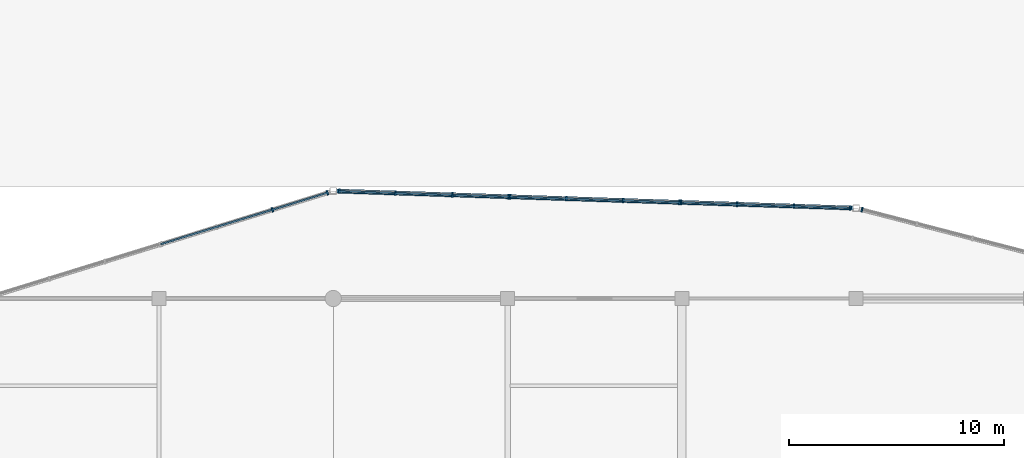
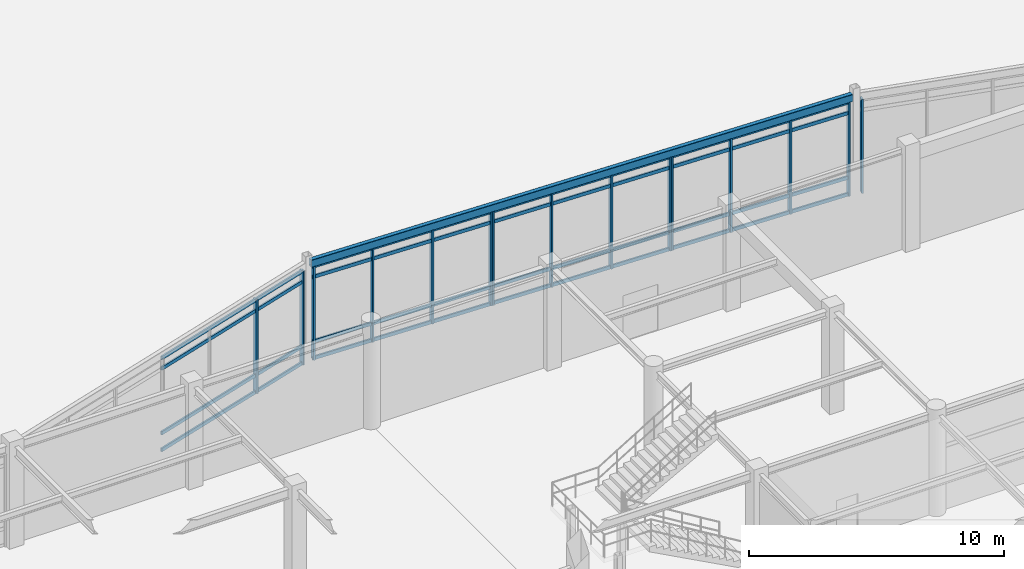
# One storey, part 34 of 99: 31 members, 1 beam, 5 elements without a shape of their own.
"""IFC4 building model written with IfcOpenShell, lengths in metres."""

from ifc_helpers import new_model, si_unit, direction, frame, origin, origin_2d, place, context, subcontext, project, spatial, rectangle, hollow_rectangle, extrude, material, layer, layer_set, material_profile, profile_set, type_object, element, aggregate, save


model = new_model("IFC4")

# Units and contexts
model_context = context("Model", 3, precision=1e-05, world=origin(), true_north=direction((0.0, 1.0)))
body_context = subcontext(model_context, "Body", "Model", "MODEL_VIEW")
ifc_project = project(units=[si_unit("LENGTHUNIT", "METRE"), si_unit("AREAUNIT", "SQUARE_METRE"), si_unit("VOLUMEUNIT", "CUBIC_METRE"), si_unit("PLANEANGLEUNIT", "RADIAN"), si_unit("MASSUNIT", "GRAM", prefix="KILO")], contexts=[model_context])

# Site, building, storey
site_placement = place(None, origin())
site = spatial("IfcSite", under=ifc_project, at=site_placement, CompositionType="ELEMENT")
building_placement = place(site_placement, origin())
building = spatial("IfcBuilding", under=site, at=building_placement, Name="Vaudrelin Polytechnic", CompositionType="ELEMENT")
storey_placement = place(building_placement, origin())
storey = spatial("IfcBuildingStorey", under=building, at=storey_placement, Name="L00", CompositionType="ELEMENT", Elevation=0.0)

# Beam
ifc_material_1 = material(Name="Steel CSA G40.21 350WT", Category="steel")
ifc_material_profile_1 = material_profile(ifc_material_1, hollow_rectangle(XDim=0.202880859375, YDim=0.35595703125, WallThickness=0.0126953125, InnerFilletRadius=0.0126953125, OuterFilletRadius=0.025390625, at=origin_2d()), Name="HSS356x203x12.7")
ifc_profile_set_1 = profile_set([ifc_material_profile_1], Name="Steel CSA G40.21 350WT")
beam_type = type_object("IfcBeamType", Name="BM-SP-HSS35", PredefinedType="SPANDREL", material=ifc_profile_set_1)
beam_placement = place(storey_placement, frame((73.039794921875, 53.595458984375, 4.64208984375), z_axis=(0.999458543434, -0.032903190688, 0.0), x_axis=(0.032903190688, 0.999458543434, 0.0)))
element("IfcBeam", 1, at=beam_placement, inside=storey, type_object=beam_type, Name="Sculptural edge beam L00 CT_OR1_B2", PredefinedType="SPANDREL", context=body_context, shape_type="SweptSolid", body=[
    extrude(hollow_rectangle(XDim=0.202880859375, YDim=0.35595703125, WallThickness=0.0126953125, InnerFilletRadius=0.0126953125, OuterFilletRadius=0.025390625, at=origin_2d()), origin(), (0.0, 0.0, 1.0), 24.033203125),
])

# Curtain wall, members
ifc_material_2 = material(Name="Thermally broken anodised aluminium AA 6063-T6 and low-e triple glazing", Category="aluminium")
ifc_layer = layer(ifc_material_2, 0.199951171875)
ifc_layer_set = layer_set([ifc_layer], Name="Thermally broken anodised aluminium AA 6063-T6 and low-e triple glazing")
curtain_wall_type = type_object("IfcCurtainWallType", Name="CW-CW-WG", PredefinedType="USERDEFINED", material=ifc_layer_set)
curtain_wall_1_placement = place(storey_placement, origin())
curtain_wall_1 = element("IfcCurtainWall", 2, at=curtain_wall_1_placement, inside=storey, type_object=curtain_wall_type, Name="Curtain wall L00 CT_OR1_1_1", ObjectType="CURTAIN WALL", PredefinedType="USERDEFINED")
ifc_material_3 = material(Name="Anodised aluminium AA 6063-T6", Category="aluminium")
ifc_material_profile_2 = material_profile(ifc_material_3, rectangle(XDim=0.074951171875, YDim=0.219970703125, at=origin_2d()), Name="CWM-75x220")
ifc_profile_set_2 = profile_set([ifc_material_profile_2], Name="Anodised aluminium AA 6063-T6")
member_type_1 = type_object("IfcMemberType", Name="MEM-CWM-220", PredefinedType="MULLION", material=ifc_profile_set_2)
member_1_placement = place(storey_placement, frame((70.072998046875, 52.7275390625, 0.0), z_axis=(0.0, 0.0, 1.0), x_axis=(0.955521323277, 0.294922024887, 0.0)))
member_1 = element("IfcMember", 3, at=member_1_placement, type_object=member_type_1, Name="CT_OR1_1_1 mullion 3", PredefinedType="MULLION", context=body_context, shape_type="SweptSolid", body=[
    extrude(rectangle(XDim=0.074951171875, YDim=0.219970703125, at=origin_2d()), origin(), (0.0, 0.0, 1.0), 4.489990234375),
])
member_2_placement = place(storey_placement, frame((72.628173828125, 53.51611328125, 0.0), z_axis=(0.0, 0.0, 1.0), x_axis=(0.955521323277, 0.294922024887, 0.0)))
member_2 = element("IfcMember", 4, at=member_2_placement, type_object=member_type_1, Name="CT_OR1_1_1 mullion 4", PredefinedType="MULLION", context=body_context, shape_type="SweptSolid", body=[
    extrude(rectangle(XDim=0.074951171875, YDim=0.219970703125, at=origin_2d()), origin(), (0.0, 0.0, 1.0), 4.489990234375),
])

curtain_wall_2_placement = place(storey_placement, origin())
curtain_wall_2 = element("IfcCurtainWall", 5, at=curtain_wall_2_placement, inside=storey, type_object=curtain_wall_type, Name="Curtain wall L00 CT_OR1_2_0", ObjectType="CURTAIN WALL", PredefinedType="USERDEFINED")
member_3_placement = place(storey_placement, frame((73.177490234375, 53.5908203125, 0.0), z_axis=(0.0, 0.0, 1.0), x_axis=(0.999458331652, -0.032909623096, 0.0)))
member_3 = element("IfcMember", 6, at=member_3_placement, type_object=member_type_1, Name="CT_OR1_2_0 mullion 1", PredefinedType="MULLION", context=body_context, shape_type="SweptSolid", body=[
    extrude(rectangle(XDim=0.074951171875, YDim=0.219970703125, at=origin_2d()), origin(), (0.0, 0.0, 1.0), 4.489990234375),
])
member_4_placement = place(storey_placement, frame((75.78466796875, 53.5048828125, 0.0), z_axis=(0.0, 0.0, 1.0), x_axis=(0.999458331652, -0.032909623096, 0.0)))
member_4 = element("IfcMember", 7, at=member_4_placement, type_object=member_type_1, Name="CT_OR1_2_0 mullion 2", PredefinedType="MULLION", context=body_context, shape_type="SweptSolid", body=[
    extrude(rectangle(XDim=0.074951171875, YDim=0.219970703125, at=origin_2d()), origin(), (0.0, 0.0, 1.0), 4.489990234375),
])
member_5_placement = place(storey_placement, frame((78.431884765625, 53.41796875, 0.0), z_axis=(0.0, 0.0, 1.0), x_axis=(0.999458331652, -0.032909623096, 0.0)))
member_5 = element("IfcMember", 8, at=member_5_placement, type_object=member_type_1, Name="CT_OR1_2_0 mullion 3", PredefinedType="MULLION", context=body_context, shape_type="SweptSolid", body=[
    extrude(rectangle(XDim=0.074951171875, YDim=0.219970703125, at=origin_2d()), origin(), (0.0, 0.0, 1.0), 4.489990234375),
])
member_6_placement = place(storey_placement, frame((81.039306640625, 53.33203125, 0.0), z_axis=(0.0, 0.0, 1.0), x_axis=(0.999458331652, -0.032909623096, 0.0)))
member_6 = element("IfcMember", 9, at=member_6_placement, type_object=member_type_1, Name="CT_OR1_2_0 mullion 4", PredefinedType="MULLION", context=body_context, shape_type="SweptSolid", body=[
    extrude(rectangle(XDim=0.074951171875, YDim=0.219970703125, at=origin_2d()), origin(), (0.0, 0.0, 1.0), 4.489990234375),
])

curtain_wall_3_placement = place(storey_placement, origin())
curtain_wall_3 = element("IfcCurtainWall", 10, at=curtain_wall_3_placement, inside=storey, type_object=curtain_wall_type, Name="Curtain wall L00 CT_OR1_2_1", ObjectType="CURTAIN WALL", PredefinedType="USERDEFINED")
member_7_placement = place(storey_placement, frame((81.119140625, 53.329345703125, 0.0), z_axis=(0.0, 0.0, 1.0), x_axis=(0.999458731894, -0.032897465558, 0.0)))
member_7 = element("IfcMember", 11, at=member_7_placement, type_object=member_type_1, Name="CT_OR1_2_1 mullion 1", PredefinedType="MULLION", context=body_context, shape_type="SweptSolid", body=[
    extrude(rectangle(XDim=0.074951171875, YDim=0.219970703125, at=origin_2d()), origin(), (0.0, 0.0, 1.0), 4.489990234375),
])
member_8_placement = place(storey_placement, frame((83.726318359375, 53.24365234375, 0.0), z_axis=(0.0, 0.0, 1.0), x_axis=(0.999458731894, -0.032897465558, 0.0)))
member_8 = element("IfcMember", 12, at=member_8_placement, type_object=member_type_1, Name="CT_OR1_2_1 mullion 2", PredefinedType="MULLION", context=body_context, shape_type="SweptSolid", body=[
    extrude(rectangle(XDim=0.074951171875, YDim=0.219970703125, at=origin_2d()), origin(), (0.0, 0.0, 1.0), 4.489990234375),
])
member_9_placement = place(storey_placement, frame((86.37353515625, 53.156494140625, 0.0), z_axis=(0.0, 0.0, 1.0), x_axis=(0.999458731894, -0.032897465558, 0.0)))
member_9 = element("IfcMember", 13, at=member_9_placement, type_object=member_type_1, Name="CT_OR1_2_1 mullion 3", PredefinedType="MULLION", context=body_context, shape_type="SweptSolid", body=[
    extrude(rectangle(XDim=0.074951171875, YDim=0.219970703125, at=origin_2d()), origin(), (0.0, 0.0, 1.0), 4.489990234375),
])
member_10_placement = place(storey_placement, frame((88.980712890625, 53.070556640625, 0.0), z_axis=(0.0, 0.0, 1.0), x_axis=(0.999458731894, -0.032897465558, 0.0)))
member_10 = element("IfcMember", 14, at=member_10_placement, type_object=member_type_1, Name="CT_OR1_2_1 mullion 4", PredefinedType="MULLION", context=body_context, shape_type="SweptSolid", body=[
    extrude(rectangle(XDim=0.074951171875, YDim=0.219970703125, at=origin_2d()), origin(), (0.0, 0.0, 1.0), 4.489990234375),
])

curtain_wall_4_placement = place(storey_placement, origin())
curtain_wall_4 = element("IfcCurtainWall", 15, at=curtain_wall_4_placement, inside=storey, type_object=curtain_wall_type, Name="Curtain wall L00 CT_OR1_2_2", ObjectType="CURTAIN WALL", PredefinedType="USERDEFINED")
member_11_placement = place(storey_placement, frame((89.060791015625, 53.068115234375, 0.0), z_axis=(0.0, 0.0, 1.0), x_axis=(0.999458331652, -0.032909623096, 0.0)))
member_11 = element("IfcMember", 16, at=member_11_placement, type_object=member_type_1, Name="CT_OR1_2_2 mullion 1", PredefinedType="MULLION", context=body_context, shape_type="SweptSolid", body=[
    extrude(rectangle(XDim=0.074951171875, YDim=0.219970703125, at=origin_2d()), origin(), (0.0, 0.0, 1.0), 4.489990234375),
])
member_12_placement = place(storey_placement, frame((91.66796875, 52.982177734375, 0.0), z_axis=(0.0, 0.0, 1.0), x_axis=(0.999458331652, -0.032909623096, 0.0)))
member_12 = element("IfcMember", 17, at=member_12_placement, type_object=member_type_1, Name="CT_OR1_2_2 mullion 2", PredefinedType="MULLION", context=body_context, shape_type="SweptSolid", body=[
    extrude(rectangle(XDim=0.074951171875, YDim=0.219970703125, at=origin_2d()), origin(), (0.0, 0.0, 1.0), 4.489990234375),
])
member_13_placement = place(storey_placement, frame((94.315185546875, 52.89501953125, 0.0), z_axis=(0.0, 0.0, 1.0), x_axis=(0.999458331652, -0.032909623096, 0.0)))
member_13 = element("IfcMember", 18, at=member_13_placement, type_object=member_type_1, Name="CT_OR1_2_2 mullion 3", PredefinedType="MULLION", context=body_context, shape_type="SweptSolid", body=[
    extrude(rectangle(XDim=0.074951171875, YDim=0.219970703125, at=origin_2d()), origin(), (0.0, 0.0, 1.0), 4.489990234375),
])
member_14_placement = place(storey_placement, frame((96.922607421875, 52.80908203125, 0.0), z_axis=(0.0, 0.0, 1.0), x_axis=(0.999458331652, -0.032909623096, 0.0)))
member_14 = element("IfcMember", 19, at=member_14_placement, type_object=member_type_1, Name="CT_OR1_2_2 mullion 4", PredefinedType="MULLION", context=body_context, shape_type="SweptSolid", body=[
    extrude(rectangle(XDim=0.074951171875, YDim=0.219970703125, at=origin_2d()), origin(), (0.0, 0.0, 1.0), 4.489990234375),
])

# Curtain wall, member
curtain_wall_5_placement = place(storey_placement, origin())
curtain_wall_5 = element("IfcCurtainWall", 20, at=curtain_wall_5_placement, inside=storey, type_object=curtain_wall_type, Name="Curtain wall L00 CT_OR1_3_0", ObjectType="CURTAIN WALL", PredefinedType="USERDEFINED")
member_15_placement = place(storey_placement, frame((97.473388671875, 52.72900390625, 0.0), z_axis=(0.0, 0.0, 1.0), x_axis=(0.967999032288, -0.250953927026, 0.0)))
member_15 = element("IfcMember", 21, at=member_15_placement, type_object=member_type_1, Name="CT_OR1_3_0 mullion 1", PredefinedType="MULLION", context=body_context, shape_type="SweptSolid", body=[
    extrude(rectangle(XDim=0.074951171875, YDim=0.219970703125, at=origin_2d()), origin(), (0.0, 0.0, 1.0), 4.489990234375),
])
aggregate(curtain_wall_5, [member_15])

# Member
ifc_material_profile_3 = material_profile(ifc_material_3, rectangle(XDim=0.074951171875, YDim=0.1650390625, at=origin_2d()), Name="CWT-75x165")
ifc_profile_set_3 = profile_set([ifc_material_profile_3], Name="Anodised aluminium AA 6063-T6")
member_type_2 = type_object("IfcMemberType", Name="MEM-CWT-165", PredefinedType="USERDEFINED", material=ifc_profile_set_3)
member_16_placement = place(storey_placement, frame((64.88623046875, 51.126708984375, 0.050048828125), z_axis=(0.955527760478, 0.294901168114, 0.0), x_axis=(-0.294901168114, 0.955527760478, 0.0)))
member_16 = element("IfcMember", 22, at=member_16_placement, type_object=member_type_2, Name="CT_OR1_1_1 transom 1", ObjectType="TRANSOM", PredefinedType="USERDEFINED", context=body_context, shape_type="SweptSolid", body=[
    extrude(rectangle(XDim=0.074951171875, YDim=0.1650390625, at=origin_2d()), origin(), (0.0, 0.0, 1.0), 8.14208984375),
])

member_17_placement = place(storey_placement, frame((64.88623046875, 51.126708984375, 0.85009765625), z_axis=(0.955527760478, 0.294901168114, 0.0), x_axis=(-0.294901168114, 0.955527760478, 0.0)))
member_17 = element("IfcMember", 23, at=member_17_placement, type_object=member_type_2, Name="CT_OR1_1_1 transom 2", ObjectType="TRANSOM", PredefinedType="USERDEFINED", context=body_context, shape_type="SweptSolid", body=[
    extrude(rectangle(XDim=0.074951171875, YDim=0.1650390625, at=origin_2d()), origin(), (0.0, 0.0, 1.0), 8.14208984375),
])

member_18_placement = place(storey_placement, frame((64.88623046875, 51.126708984375, 3.93994140625), z_axis=(0.955527760478, 0.294901168114, 0.0), x_axis=(-0.294901168114, 0.955527760478, 0.0)))
member_18 = element("IfcMember", 24, at=member_18_placement, type_object=member_type_2, Name="CT_OR1_1_1 transom 3", ObjectType="TRANSOM", PredefinedType="USERDEFINED", context=body_context, shape_type="SweptSolid", body=[
    extrude(rectangle(XDim=0.074951171875, YDim=0.1650390625, at=origin_2d()), origin(), (0.0, 0.0, 1.0), 8.14208984375),
])

member_19_placement = place(storey_placement, frame((64.88623046875, 51.126708984375, 4.43994140625), z_axis=(0.955527760478, 0.294901168114, 0.0), x_axis=(-0.294901168114, 0.955527760478, 0.0)))
member_19 = element("IfcMember", 25, at=member_19_placement, type_object=member_type_2, Name="CT_OR1_1_1 transom 4", ObjectType="TRANSOM", PredefinedType="USERDEFINED", context=body_context, shape_type="SweptSolid", body=[
    extrude(rectangle(XDim=0.074951171875, YDim=0.1650390625, at=origin_2d()), origin(), (0.0, 0.0, 1.0), 8.14208984375),
])

aggregate(curtain_wall_1, [member_1, member_2, member_16, member_17, member_18, member_19])

member_20_placement = place(storey_placement, frame((73.137451171875, 53.59228515625, 0.050048828125), z_axis=(0.999458429988, -0.032906636494, 0.0), x_axis=(0.032906636494, 0.999458429988, 0.0)))
member_20 = element("IfcMember", 26, at=member_20_placement, type_object=member_type_2, Name="CT_OR1_2_0 transom 1", ObjectType="TRANSOM", PredefinedType="USERDEFINED", context=body_context, shape_type="SweptSolid", body=[
    extrude(rectangle(XDim=0.074951171875, YDim=0.1650390625, at=origin_2d()), origin(), (0.0, 0.0, 1.0), 7.946044921875),
])

member_21_placement = place(storey_placement, frame((73.137451171875, 53.59228515625, 0.85009765625), z_axis=(0.999458429988, -0.032906636494, 0.0), x_axis=(0.032906636494, 0.999458429988, 0.0)))
member_21 = element("IfcMember", 27, at=member_21_placement, type_object=member_type_2, Name="CT_OR1_2_0 transom 2", ObjectType="TRANSOM", PredefinedType="USERDEFINED", context=body_context, shape_type="SweptSolid", body=[
    extrude(rectangle(XDim=0.074951171875, YDim=0.1650390625, at=origin_2d()), origin(), (0.0, 0.0, 1.0), 7.946044921875),
])

member_22_placement = place(storey_placement, frame((73.137451171875, 53.59228515625, 3.93994140625), z_axis=(0.999458429988, -0.032906636494, 0.0), x_axis=(0.032906636494, 0.999458429988, 0.0)))
member_22 = element("IfcMember", 28, at=member_22_placement, type_object=member_type_2, Name="CT_OR1_2_0 transom 3", ObjectType="TRANSOM", PredefinedType="USERDEFINED", context=body_context, shape_type="SweptSolid", body=[
    extrude(rectangle(XDim=0.074951171875, YDim=0.1650390625, at=origin_2d()), origin(), (0.0, 0.0, 1.0), 7.946044921875),
])

member_23_placement = place(storey_placement, frame((73.137451171875, 53.59228515625, 4.43994140625), z_axis=(0.999458429988, -0.032906636494, 0.0), x_axis=(0.032906636494, 0.999458429988, 0.0)))
member_23 = element("IfcMember", 29, at=member_23_placement, type_object=member_type_2, Name="CT_OR1_2_0 transom 4", ObjectType="TRANSOM", PredefinedType="USERDEFINED", context=body_context, shape_type="SweptSolid", body=[
    extrude(rectangle(XDim=0.074951171875, YDim=0.1650390625, at=origin_2d()), origin(), (0.0, 0.0, 1.0), 7.946044921875),
])

aggregate(curtain_wall_2, [member_3, member_4, member_5, member_6, member_20, member_21, member_22, member_23])

member_24_placement = place(storey_placement, frame((81.0791015625, 53.330810546875, 0.050048828125), z_axis=(0.999458429988, -0.032906636494, 0.0), x_axis=(0.032906636494, 0.999458429988, 0.0)))
member_24 = element("IfcMember", 30, at=member_24_placement, type_object=member_type_2, Name="CT_OR1_2_1 transom 1", ObjectType="TRANSOM", PredefinedType="USERDEFINED", context=body_context, shape_type="SweptSolid", body=[
    extrude(rectangle(XDim=0.074951171875, YDim=0.1650390625, at=origin_2d()), origin(), (0.0, 0.0, 1.0), 7.946044921875),
])

member_25_placement = place(storey_placement, frame((81.0791015625, 53.330810546875, 0.85009765625), z_axis=(0.999458429988, -0.032906636494, 0.0), x_axis=(0.032906636494, 0.999458429988, 0.0)))
member_25 = element("IfcMember", 31, at=member_25_placement, type_object=member_type_2, Name="CT_OR1_2_1 transom 2", ObjectType="TRANSOM", PredefinedType="USERDEFINED", context=body_context, shape_type="SweptSolid", body=[
    extrude(rectangle(XDim=0.074951171875, YDim=0.1650390625, at=origin_2d()), origin(), (0.0, 0.0, 1.0), 7.946044921875),
])

member_26_placement = place(storey_placement, frame((81.0791015625, 53.330810546875, 3.93994140625), z_axis=(0.999458429988, -0.032906636494, 0.0), x_axis=(0.032906636494, 0.999458429988, 0.0)))
member_26 = element("IfcMember", 32, at=member_26_placement, type_object=member_type_2, Name="CT_OR1_2_1 transom 3", ObjectType="TRANSOM", PredefinedType="USERDEFINED", context=body_context, shape_type="SweptSolid", body=[
    extrude(rectangle(XDim=0.074951171875, YDim=0.1650390625, at=origin_2d()), origin(), (0.0, 0.0, 1.0), 7.946044921875),
])

member_27_placement = place(storey_placement, frame((81.0791015625, 53.330810546875, 4.43994140625), z_axis=(0.999458429988, -0.032906636494, 0.0), x_axis=(0.032906636494, 0.999458429988, 0.0)))
member_27 = element("IfcMember", 33, at=member_27_placement, type_object=member_type_2, Name="CT_OR1_2_1 transom 4", ObjectType="TRANSOM", PredefinedType="USERDEFINED", context=body_context, shape_type="SweptSolid", body=[
    extrude(rectangle(XDim=0.074951171875, YDim=0.1650390625, at=origin_2d()), origin(), (0.0, 0.0, 1.0), 7.946044921875),
])

aggregate(curtain_wall_3, [member_7, member_8, member_9, member_10, member_24, member_25, member_26, member_27])

member_28_placement = place(storey_placement, frame((89.020751953125, 53.0693359375, 0.050048828125), z_axis=(0.999458429988, -0.032906636494, 0.0), x_axis=(0.032906636494, 0.999458429988, 0.0)))
member_28 = element("IfcMember", 34, at=member_28_placement, type_object=member_type_2, Name="CT_OR1_2_2 transom 1", ObjectType="TRANSOM", PredefinedType="USERDEFINED", context=body_context, shape_type="SweptSolid", body=[
    extrude(rectangle(XDim=0.074951171875, YDim=0.1650390625, at=origin_2d()), origin(), (0.0, 0.0, 1.0), 7.946044921875),
])

member_29_placement = place(storey_placement, frame((89.020751953125, 53.0693359375, 0.85009765625), z_axis=(0.999458429988, -0.032906636494, 0.0), x_axis=(0.032906636494, 0.999458429988, 0.0)))
member_29 = element("IfcMember", 35, at=member_29_placement, type_object=member_type_2, Name="CT_OR1_2_2 transom 2", ObjectType="TRANSOM", PredefinedType="USERDEFINED", context=body_context, shape_type="SweptSolid", body=[
    extrude(rectangle(XDim=0.074951171875, YDim=0.1650390625, at=origin_2d()), origin(), (0.0, 0.0, 1.0), 7.946044921875),
])

member_30_placement = place(storey_placement, frame((89.020751953125, 53.0693359375, 3.93994140625), z_axis=(0.999458429988, -0.032906636494, 0.0), x_axis=(0.032906636494, 0.999458429988, 0.0)))
member_30 = element("IfcMember", 36, at=member_30_placement, type_object=member_type_2, Name="CT_OR1_2_2 transom 3", ObjectType="TRANSOM", PredefinedType="USERDEFINED", context=body_context, shape_type="SweptSolid", body=[
    extrude(rectangle(XDim=0.074951171875, YDim=0.1650390625, at=origin_2d()), origin(), (0.0, 0.0, 1.0), 7.946044921875),
])

member_31_placement = place(storey_placement, frame((89.020751953125, 53.0693359375, 4.43994140625), z_axis=(0.999458429988, -0.032906636494, 0.0), x_axis=(0.032906636494, 0.999458429988, 0.0)))
member_31 = element("IfcMember", 37, at=member_31_placement, type_object=member_type_2, Name="CT_OR1_2_2 transom 4", ObjectType="TRANSOM", PredefinedType="USERDEFINED", context=body_context, shape_type="SweptSolid", body=[
    extrude(rectangle(XDim=0.074951171875, YDim=0.1650390625, at=origin_2d()), origin(), (0.0, 0.0, 1.0), 7.946044921875),
])

aggregate(curtain_wall_4, [member_11, member_12, member_13, member_14, member_28, member_29, member_30, member_31])

save(model, "model.ifc")
